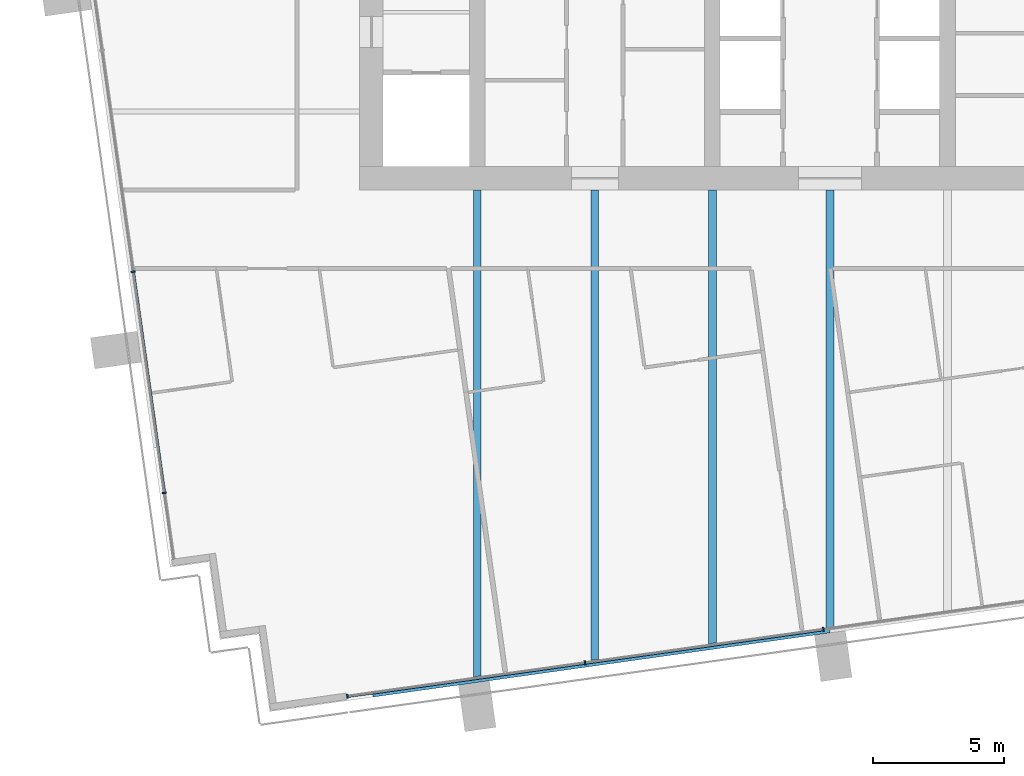
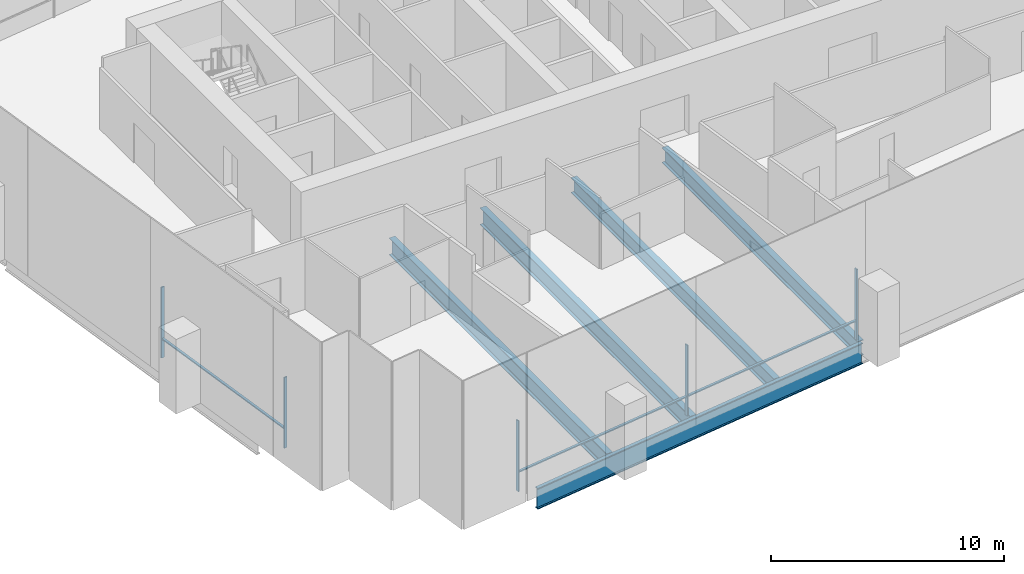
# One storey, part 2 of 17: 8 members, 5 beams, 2 elements without a shape of their own.
"""IFC4 building model written with IfcOpenShell, lengths in metres."""

from ifc_helpers import new_model, si_unit, direction, frame, origin, origin_2d, place, context, subcontext, project, spatial, rectangle, i_section, extrude, material, material_profile, profile_set, type_object, element, aggregate, save


model = new_model("IFC4")

# Units and contexts
model_context = context("Model", 3, precision=1e-05, world=origin(), true_north=direction((0.0, 1.0)))
body_context = subcontext(model_context, "Body", "Model", "MODEL_VIEW")
ifc_project = project(units=[si_unit("LENGTHUNIT", "METRE"), si_unit("AREAUNIT", "SQUARE_METRE"), si_unit("VOLUMEUNIT", "CUBIC_METRE"), si_unit("PLANEANGLEUNIT", "RADIAN"), si_unit("MASSUNIT", "GRAM", prefix="KILO")], contexts=[model_context])

# Site, building, storey
site_placement = place(None, origin())
site = spatial("IfcSite", under=ifc_project, at=site_placement, CompositionType="ELEMENT")
building_placement = place(site_placement, origin())
building = spatial("IfcBuilding", under=site, at=building_placement, Name="Rattan Terrace Tower", CompositionType="ELEMENT")
storey_placement = place(building_placement, frame((0.0, 0.0, 168.5)))
storey = spatial("IfcBuildingStorey", under=building, at=storey_placement, Name="L38", CompositionType="ELEMENT", Elevation=168.5)

# Curtain wall, members
ifc_material_1 = material(Name="Aluminium and glass", Category="aluminium")
curtain_wall_type = type_object("IfcCurtainWallType", Name="Facade Unitised Curtain Wall", PredefinedType="NOTDEFINED", material=ifc_material_1)
curtain_wall_1_placement = place(storey_placement, origin())
curtain_wall_1 = element("IfcCurtainWall", 1, at=curtain_wall_1_placement, inside=storey, type_object=curtain_wall_type, Name="Curtain wall L38-3", PredefinedType="NOTDEFINED")
ifc_material_2 = material(Name="Aluminium", Category="aluminium")
ifc_material_profile_1 = material_profile(ifc_material_2, rectangle(XDim=0.06005859375, YDim=0.159912109375, at=origin_2d()), Name="Aluminium 60x160")
ifc_profile_set_1 = profile_set([ifc_material_profile_1], Name="Aluminium")
member_type_1 = type_object("IfcMemberType", Name="Facade CW Mullion 60x160", PredefinedType="MULLION", material=ifc_profile_set_1)
member_1_placement = place(storey_placement, frame((-26.66748046875, -10.6259765625, 0.0), z_axis=(0.0, 0.0, 1.0), x_axis=(0.139190856006, -0.99026557327, 0.0)))
member_1 = element("IfcMember", 2, at=member_1_placement, type_object=member_type_1, Name="Mullion cwl-L38-003.3", PredefinedType="MULLION", context=body_context, shape_type="SweptSolid", body=[
    extrude(rectangle(XDim=0.06005859375, YDim=0.159912109375, at=origin_2d()), origin(), (0.0, 0.0, 1.0), 3.699951171875),
])
member_2_placement = place(storey_placement, frame((-25.477294921875, -19.092529296875, 0.0), z_axis=(0.0, 0.0, 1.0), x_axis=(0.139190856006, -0.99026557327, 0.0)))
member_2 = element("IfcMember", 3, at=member_2_placement, type_object=member_type_1, Name="Mullion cwl-L38-003.4", PredefinedType="MULLION", context=body_context, shape_type="SweptSolid", body=[
    extrude(rectangle(XDim=0.06005859375, YDim=0.159912109375, at=origin_2d()), origin(), (0.0, 0.0, 1.0), 3.699951171875),
])

curtain_wall_2_placement = place(storey_placement, origin())
curtain_wall_2 = element("IfcCurtainWall", 4, at=curtain_wall_2_placement, inside=storey, type_object=curtain_wall_type, Name="Curtain wall L38-4", PredefinedType="NOTDEFINED")
member_3_placement = place(storey_placement, frame((-18.467041015625, -26.87255859375, 0.0), z_axis=(0.0, 0.0, 1.0), x_axis=(0.990269702686, 0.139161474347, 0.0)))
member_3 = element("IfcMember", 5, at=member_3_placement, type_object=member_type_1, Name="Mullion cwl-L38-004.1", PredefinedType="MULLION", context=body_context, shape_type="SweptSolid", body=[
    extrude(rectangle(XDim=0.06005859375, YDim=0.159912109375, at=origin_2d()), origin(), (0.0, 0.0, 1.0), 3.699951171875),
])
member_4_placement = place(storey_placement, frame((-9.373291015625, -25.594482421875, 0.0), z_axis=(0.0, 0.0, 1.0), x_axis=(0.990269702686, 0.139161474347, 0.0)))
member_4 = element("IfcMember", 6, at=member_4_placement, type_object=member_type_1, Name="Mullion cwl-L38-004.2", PredefinedType="MULLION", context=body_context, shape_type="SweptSolid", body=[
    extrude(rectangle(XDim=0.06005859375, YDim=0.159912109375, at=origin_2d()), origin(), (0.0, 0.0, 1.0), 3.699951171875),
])
member_5_placement = place(storey_placement, frame((-0.25, -24.3125, 0.0), z_axis=(0.0, 0.0, 1.0), x_axis=(0.990269702686, 0.139161474347, 0.0)))
member_5 = element("IfcMember", 7, at=member_5_placement, type_object=member_type_1, Name="Mullion cwl-L38-004.3", PredefinedType="MULLION", context=body_context, shape_type="SweptSolid", body=[
    extrude(rectangle(XDim=0.06005859375, YDim=0.159912109375, at=origin_2d()), origin(), (0.0, 0.0, 1.0), 3.699951171875),
])

# Member
ifc_material_3 = material(Name="Aluminium", Category="aluminium")
ifc_material_profile_2 = material_profile(ifc_material_3, rectangle(XDim=0.1201171875, YDim=0.06005859375, at=origin_2d()), Name="Aluminium 120x60")
ifc_profile_set_2 = profile_set([ifc_material_profile_2], Name="Aluminium")
member_type_2 = type_object("IfcMemberType", Name="Facade CW Transom 120x60", PredefinedType="USERDEFINED", material=ifc_profile_set_2)
member_6_placement = place(storey_placement, frame((-26.663330078125, -10.655517578125, 1.0), z_axis=(0.139178607515, -0.99026729483, 0.0), x_axis=(0.99026729483, 0.139178607515, 0.0)))
member_6 = element("IfcMember", 8, at=member_6_placement, type_object=member_type_2, Name="Transom cwl-L38-003.3", ObjectType="TRANSOM", PredefinedType="USERDEFINED", context=body_context, shape_type="SweptSolid", body=[
    extrude(rectangle(XDim=0.1201171875, YDim=0.06005859375, at=origin_2d()), origin(), (0.0, 0.0, 1.0), 8.489990234375),
])

aggregate(curtain_wall_1, [member_1, member_2, member_6])

member_7_placement = place(storey_placement, frame((-18.437255859375, -26.868408203125, 1.0), z_axis=(0.990266494002, 0.139184305354, 0.0), x_axis=(-0.139184305354, 0.990266494002, 0.0)))
member_7 = element("IfcMember", 9, at=member_7_placement, type_object=member_type_2, Name="Transom cwl-L38-004.1", ObjectType="TRANSOM", PredefinedType="USERDEFINED", context=body_context, shape_type="SweptSolid", body=[
    extrude(rectangle(XDim=0.1201171875, YDim=0.06005859375, at=origin_2d()), origin(), (0.0, 0.0, 1.0), 9.123046875),
])

member_8_placement = place(storey_placement, frame((-9.343505859375, -25.59033203125, 1.0), z_axis=(0.990270711765, 0.139154293575, 0.0), x_axis=(-0.139154293575, 0.990270711765, 0.0)))
member_8 = element("IfcMember", 10, at=member_8_placement, type_object=member_type_2, Name="Transom cwl-L38-004.2", ObjectType="TRANSOM", PredefinedType="USERDEFINED", context=body_context, shape_type="SweptSolid", body=[
    extrude(rectangle(XDim=0.1201171875, YDim=0.06005859375, at=origin_2d()), origin(), (0.0, 0.0, 1.0), 9.153076171875),
])

aggregate(curtain_wall_2, [member_3, member_4, member_5, member_7, member_8])

# Beams
ifc_material_4 = material(Name="Steel S460", Category="steel")
ifc_material_profile_3 = material_profile(ifc_material_4, i_section(OverallWidth=0.179931640625, OverallDepth=1.10009765625, WebThickness=0.01611328125, FlangeThickness=0.050048828125, at=origin_2d()), Name="PG 1100x180-16-50")
ifc_profile_set_3 = profile_set([ifc_material_profile_3], Name="Steel S460")
beam_type_1 = type_object("IfcBeamType", Name="Frame edge girder PG 1100x180-16-50", PredefinedType="SPANDREL", material=ifc_profile_set_3)
beam_1_placement = place(storey_placement, frame((-17.4990234375, -26.818115234375, -0.75), z_axis=(0.990264173921, 0.139200811234, 0.0), x_axis=(-0.139200811234, 0.990264173921, 0.0)))
element("IfcBeam", 11, at=beam_1_placement, inside=storey, type_object=beam_type_1, Name="gdr-L38-001", PredefinedType="SPANDREL", context=body_context, shape_type="SweptSolid", body=[
    extrude(i_section(OverallWidth=0.179931640625, OverallDepth=1.10009765625, WebThickness=0.01611328125, FlangeThickness=0.050048828125, at=origin_2d()), origin(), (0.0, 0.0, 1.0), 17.657958984375),
])
ifc_material_5 = material(Name="Steel S355", Category="steel")
ifc_material_profile_4 = material_profile(ifc_material_5, i_section(OverallWidth=0.300048828125, OverallDepth=0.800048828125, WebThickness=0.017578125, FlangeThickness=0.032958984375, FilletRadius=0.030029296875, at=origin_2d()), Name="HE 800 B")
ifc_profile_set_4 = profile_set([ifc_material_profile_4], Name="Steel S355")
beam_type_2 = type_object("IfcBeamType", Name="Frame floor beam HE 800 B", PredefinedType="JOIST", material=ifc_profile_set_4)
beam_2_placement = place(storey_placement, frame((-4.5, -24.87890625, -0.60009765625), z_axis=(0.0, 1.0, 0.0), x_axis=(-1.0, 0.0, 0.0)))
element("IfcBeam", 12, at=beam_2_placement, inside=storey, type_object=beam_type_2, Name="bm-L38-005", PredefinedType="JOIST", context=body_context, shape_type="SweptSolid", body=[
    extrude(i_section(OverallWidth=0.300048828125, OverallDepth=0.800048828125, WebThickness=0.017578125, FlangeThickness=0.032958984375, FilletRadius=0.030029296875, at=origin_2d()), origin(), (0.0, 0.0, 1.0), 17.37890625),
])
beam_3_placement = place(storey_placement, frame((0.0, -24.24609375, -0.60009765625), z_axis=(0.0, 1.0, 0.0), x_axis=(-1.0, 0.0, 0.0)))
element("IfcBeam", 13, at=beam_3_placement, inside=storey, type_object=beam_type_2, Name="bm-L38-006", PredefinedType="JOIST", context=body_context, shape_type="SweptSolid", body=[
    extrude(i_section(OverallWidth=0.300048828125, OverallDepth=0.800048828125, WebThickness=0.017578125, FlangeThickness=0.032958984375, FilletRadius=0.030029296875, at=origin_2d()), origin(), (0.0, 0.0, 1.0), 16.74609375),
])
ifc_material_6 = material(Name="Steel S355", Category="steel")
ifc_material_profile_5 = material_profile(ifc_material_6, i_section(OverallWidth=0.300048828125, OverallDepth=0.89990234375, WebThickness=0.0185546875, FlangeThickness=0.034912109375, FilletRadius=0.030029296875, at=origin_2d()), Name="HE 900 B")
ifc_profile_set_5 = profile_set([ifc_material_profile_5], Name="Steel S355")
beam_type_3 = type_object("IfcBeamType", Name="Frame floor beam HE 900 B", PredefinedType="JOIST", material=ifc_profile_set_5)
beam_4_placement = place(storey_placement, frame((-13.5, -26.14404296875, -0.64990234375), z_axis=(0.0, 1.0, 0.0), x_axis=(-1.0, 0.0, 0.0)))
element("IfcBeam", 14, at=beam_4_placement, inside=storey, type_object=beam_type_3, Name="bm-L38-003", PredefinedType="JOIST", context=body_context, shape_type="SweptSolid", body=[
    extrude(i_section(OverallWidth=0.300048828125, OverallDepth=0.89990234375, WebThickness=0.0185546875, FlangeThickness=0.034912109375, FilletRadius=0.030029296875, at=origin_2d()), origin(), (0.0, 0.0, 1.0), 18.64404296875),
])
beam_5_placement = place(storey_placement, frame((-9.0, -25.510986328125, -0.64990234375), z_axis=(0.0, 1.0, 0.0), x_axis=(-1.0, 0.0, 0.0)))
element("IfcBeam", 15, at=beam_5_placement, inside=storey, type_object=beam_type_3, Name="bm-L38-004", PredefinedType="JOIST", context=body_context, shape_type="SweptSolid", body=[
    extrude(i_section(OverallWidth=0.300048828125, OverallDepth=0.89990234375, WebThickness=0.0185546875, FlangeThickness=0.034912109375, FilletRadius=0.030029296875, at=origin_2d()), origin(), (0.0, 0.0, 1.0), 18.010986328125),
])

save(model, "model.ifc")
